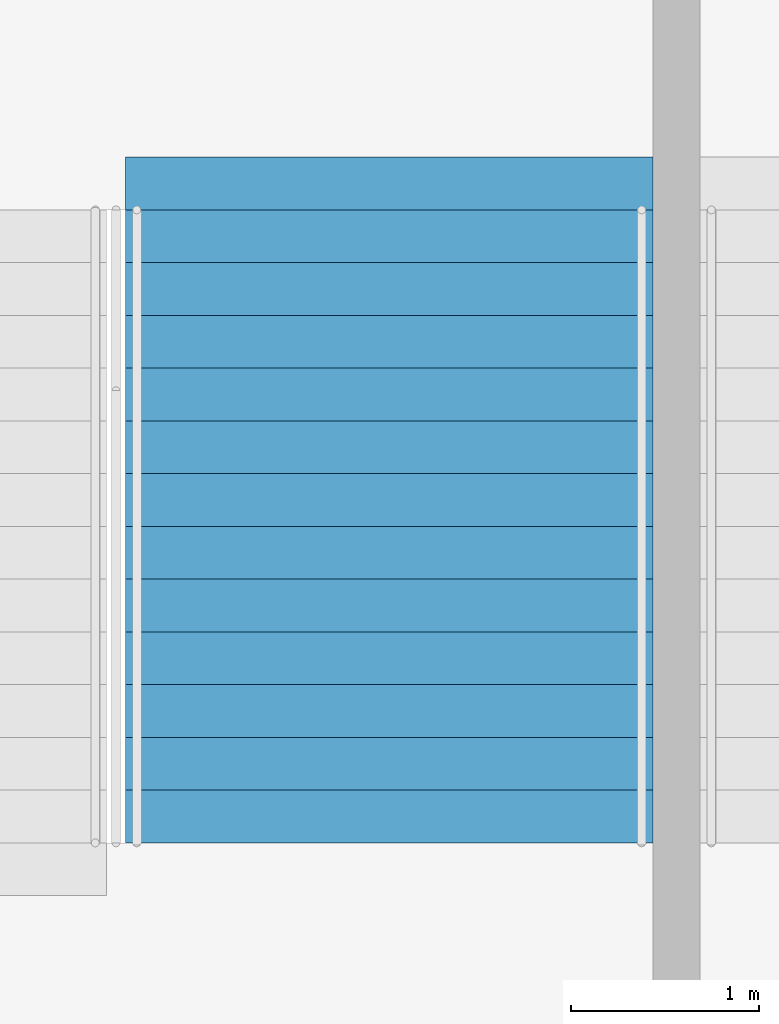
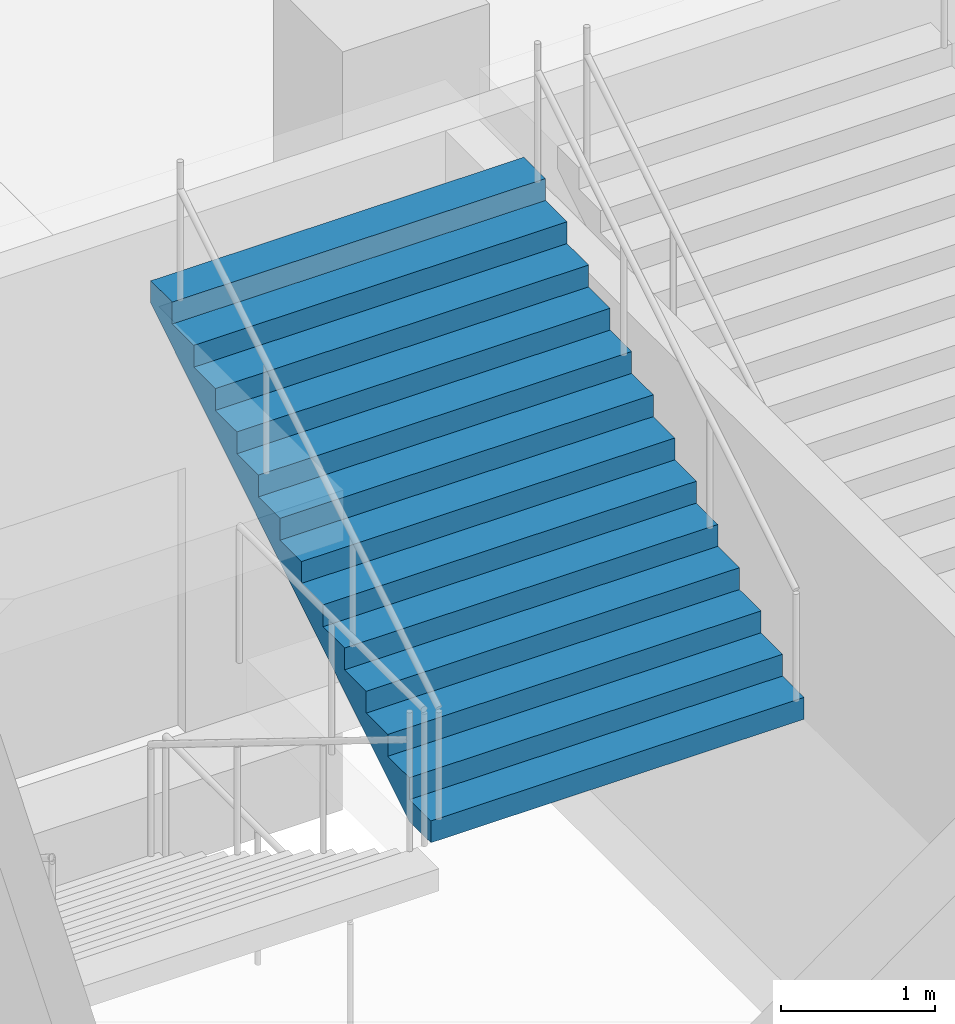
# One storey, part 152 of 249: 1 stair flight, 1 element without a shape of its own.
"""IFC4 building model written with IfcOpenShell, lengths in metres."""

from ifc_helpers import new_model, si_unit, direction, frame, origin, place, context, subcontext, project, spatial, faceted_brep, material, type_object, element, aggregate, save


model = new_model("IFC4")

# Units and contexts
model_context = context("Model", 3, precision=1e-05, world=origin(), true_north=direction((0.0, 1.0)))
body_context = subcontext(model_context, "Body", "Model", "MODEL_VIEW")
ifc_project = project(units=[si_unit("LENGTHUNIT", "METRE"), si_unit("AREAUNIT", "SQUARE_METRE"), si_unit("VOLUMEUNIT", "CUBIC_METRE"), si_unit("PLANEANGLEUNIT", "RADIAN"), si_unit("MASSUNIT", "GRAM", prefix="KILO")], contexts=[model_context])

# Site, building, storey
site_placement = place(None, origin())
site = spatial("IfcSite", under=ifc_project, at=site_placement, CompositionType="ELEMENT")
building_placement = place(site_placement, origin())
building = spatial("IfcBuilding", under=site, at=building_placement, Name="Ogive Plaza Stadium", CompositionType="ELEMENT")
storey_placement = place(building_placement, frame((0.0, 0.0, 13.5)))
storey = spatial("IfcBuildingStorey", under=building, at=storey_placement, Name="L03", CompositionType="ELEMENT", Elevation=13.5)

# Stair, stair flight
ifc_material_1 = material(Name="Concrete C40/50", Category="concrete")
stair_type = type_object("IfcStairType", Name="Exit stair", PredefinedType="STRAIGHT_RUN_STAIR", material=ifc_material_1)
stair_placement = place(storey_placement, origin())
stair = element("IfcStair", 1, at=stair_placement, inside=storey, type_object=stair_type, Name="Exit stair ST12A L03 to L04", PredefinedType="STRAIGHT_RUN_STAIR")
ifc_material_2 = material(Name="Concrete C40/50", Category="concrete")
stair_flight_type = type_object("IfcStairFlightType", Name="Exit stair flight", PredefinedType="STRAIGHT", material=ifc_material_2)
stair_flight_placement = place(storey_placement, frame((32.47509765625, -98.2099609375, 2.25), z_axis=(0.0, 0.0, 1.0), x_axis=(0.0, 1.0, 0.0)))
stair_flight = element("IfcStairFlight", 2, at=stair_flight_placement, type_object=stair_flight_type, Name="ST12A flight 2", NumberOfRisers=13, NumberOfTreads=12, PredefinedType="STRAIGHT", RiserHeight=0.173076923, TreadLength=0.28, context=body_context, shape_type="Brep", body=[
    faceted_brep([(0.28515625, -1.39990234375, 0.0), (3.639892578125, -1.39990234375, 2.07373046875), (3.639892578125, -1.39990234375, 2.25), (3.360107421875, -1.39990234375, 2.25), (3.360107421875, -1.39990234375, 2.076904296875), (3.080078125, -1.39990234375, 2.076904296875), (3.080078125, -1.39990234375, 1.90380859375), (2.800048828125, -1.39990234375, 1.90380859375), (2.800048828125, -1.39990234375, 1.730712890625), (2.52001953125, -1.39990234375, 1.730712890625), (2.52001953125, -1.39990234375, 1.5576171875), (2.239990234375, -1.39990234375, 1.5576171875), (2.239990234375, -1.39990234375, 1.384521484375), (1.9599609375, -1.39990234375, 1.384521484375), (1.9599609375, -1.39990234375, 1.21142578125), (1.679931640625, -1.39990234375, 1.21142578125), (1.679931640625, -1.39990234375, 1.03857421875), (1.39990234375, -1.39990234375, 1.03857421875), (1.39990234375, -1.39990234375, 0.865478515625), (1.1201171875, -1.39990234375, 0.865478515625), (1.1201171875, -1.39990234375, 0.6923828125), (0.840087890625, -1.39990234375, 0.6923828125), (0.840087890625, -1.39990234375, 0.519287109375), (0.56005859375, -1.39990234375, 0.519287109375), (0.56005859375, -1.39990234375, 0.34619140625), (0.280029296875, -1.39990234375, 0.34619140625), (0.280029296875, -1.39990234375, 0.173095703125), (0.0, -1.39990234375, 0.173095703125), (0.0, -1.39990234375, 0.0), (0.0, 1.39990234375, 0.0), (0.0, 1.39990234375, 0.173095703125), (0.280029296875, 1.39990234375, 0.173095703125), (0.280029296875, 1.39990234375, 0.34619140625), (0.56005859375, 1.39990234375, 0.34619140625), (0.56005859375, 1.39990234375, 0.519287109375), (0.840087890625, 1.39990234375, 0.519287109375), (0.840087890625, 1.39990234375, 0.6923828125), (1.1201171875, 1.39990234375, 0.6923828125), (1.1201171875, 1.39990234375, 0.865478515625), (1.39990234375, 1.39990234375, 0.865478515625), (1.39990234375, 1.39990234375, 1.03857421875), (1.679931640625, 1.39990234375, 1.03857421875), (1.679931640625, 1.39990234375, 1.21142578125), (1.9599609375, 1.39990234375, 1.21142578125), (1.9599609375, 1.39990234375, 1.384521484375), (2.239990234375, 1.39990234375, 1.384521484375), (2.239990234375, 1.39990234375, 1.5576171875), (2.52001953125, 1.39990234375, 1.5576171875), (2.52001953125, 1.39990234375, 1.730712890625), (2.800048828125, 1.39990234375, 1.730712890625), (2.800048828125, 1.39990234375, 1.90380859375), (3.080078125, 1.39990234375, 1.90380859375), (3.080078125, 1.39990234375, 2.076904296875), (3.360107421875, 1.39990234375, 2.076904296875), (3.360107421875, 1.39990234375, 2.25), (3.639892578125, 1.39990234375, 2.25), (3.639892578125, 1.39990234375, 2.07373046875), (0.28515625, 1.39990234375, 0.0), (0.28515625, -1.0888671875, 0.0), (3.639892578125, -1.0888671875, 2.07373046875), (0.28515625, -0.77783203125, 0.0), (3.639892578125, -0.77783203125, 2.07373046875), (0.28515625, -0.466796875, 0.0), (3.639892578125, -0.466796875, 2.07373046875), (0.28515625, -0.155517578125, 0.0), (3.639892578125, -0.155517578125, 2.07373046875), (0.28515625, 0.155517578125, 0.0), (3.639892578125, 0.155517578125, 2.07373046875), (0.28515625, 0.466796875, 0.0), (3.639892578125, 0.466796875, 2.07373046875), (0.28515625, 0.77783203125, 0.0), (3.639892578125, 0.77783203125, 2.07373046875), (0.28515625, 1.0888671875, 0.0), (3.639892578125, 1.0888671875, 2.07373046875), (3.639892578125, -1.0888671875, 2.25), (3.639892578125, -0.77783203125, 2.25), (3.639892578125, -0.466796875, 2.25), (3.639892578125, -0.155517578125, 2.25), (3.639892578125, 0.155517578125, 2.25), (3.639892578125, 0.466796875, 2.25), (3.639892578125, 0.77783203125, 2.25), (3.639892578125, 1.0888671875, 2.25), (3.360107421875, -1.0888671875, 2.25), (3.360107421875, -0.77783203125, 2.25), (3.360107421875, -0.466796875, 2.25), (3.360107421875, -0.155517578125, 2.25), (3.360107421875, 0.155517578125, 2.25), (3.360107421875, 0.466796875, 2.25), (3.360107421875, 0.77783203125, 2.25), (3.360107421875, 1.0888671875, 2.25), (3.360107421875, -1.0888671875, 2.076904296875), (3.360107421875, -0.77783203125, 2.076904296875), (3.360107421875, -0.466796875, 2.076904296875), (3.360107421875, -0.155517578125, 2.076904296875), (3.360107421875, 0.155517578125, 2.076904296875), (3.360107421875, 0.466796875, 2.076904296875), (3.360107421875, 0.77783203125, 2.076904296875), (3.360107421875, 1.0888671875, 2.076904296875), (3.080078125, -1.0888671875, 2.076904296875), (3.080078125, -0.77783203125, 2.076904296875), (3.080078125, -0.466796875, 2.076904296875), (3.080078125, -0.155517578125, 2.076904296875), (3.080078125, 0.155517578125, 2.076904296875), (3.080078125, 0.466796875, 2.076904296875), (3.080078125, 0.77783203125, 2.076904296875), (3.080078125, 1.0888671875, 2.076904296875), (3.080078125, -1.0888671875, 1.90380859375), (3.080078125, -0.77783203125, 1.90380859375), (3.080078125, -0.466796875, 1.90380859375), (3.080078125, -0.155517578125, 1.90380859375), (3.080078125, 0.155517578125, 1.90380859375), (3.080078125, 0.466796875, 1.90380859375), (3.080078125, 0.77783203125, 1.90380859375), (3.080078125, 1.0888671875, 1.90380859375), (2.800048828125, -1.0888671875, 1.90380859375), (2.800048828125, -0.77783203125, 1.90380859375), (2.800048828125, -0.466796875, 1.90380859375), (2.800048828125, -0.155517578125, 1.90380859375), (2.800048828125, 0.155517578125, 1.90380859375), (2.800048828125, 0.466796875, 1.90380859375), (2.800048828125, 0.77783203125, 1.90380859375), (2.800048828125, 1.0888671875, 1.90380859375), (2.800048828125, -1.0888671875, 1.730712890625), (2.800048828125, -0.77783203125, 1.730712890625), (2.800048828125, -0.466796875, 1.730712890625), (2.800048828125, -0.155517578125, 1.730712890625), (2.800048828125, 0.155517578125, 1.730712890625), (2.800048828125, 0.466796875, 1.730712890625), (2.800048828125, 0.77783203125, 1.730712890625), (2.800048828125, 1.0888671875, 1.730712890625), (2.52001953125, -1.0888671875, 1.730712890625), (2.52001953125, -0.77783203125, 1.730712890625), (2.52001953125, -0.466796875, 1.730712890625), (2.52001953125, -0.155517578125, 1.730712890625), (2.52001953125, 0.155517578125, 1.730712890625), (2.52001953125, 0.466796875, 1.730712890625), (2.52001953125, 0.77783203125, 1.730712890625), (2.52001953125, 1.0888671875, 1.730712890625), (2.52001953125, -1.0888671875, 1.5576171875), (2.52001953125, -0.77783203125, 1.5576171875), (2.52001953125, -0.466796875, 1.5576171875), (2.52001953125, -0.155517578125, 1.5576171875), (2.52001953125, 0.155517578125, 1.5576171875), (2.52001953125, 0.466796875, 1.5576171875), (2.52001953125, 0.77783203125, 1.5576171875), (2.52001953125, 1.0888671875, 1.5576171875), (2.239990234375, -1.0888671875, 1.5576171875), (2.239990234375, -0.77783203125, 1.5576171875), (2.239990234375, -0.466796875, 1.5576171875), (2.239990234375, -0.155517578125, 1.5576171875), (2.239990234375, 0.155517578125, 1.5576171875), (2.239990234375, 0.466796875, 1.5576171875), (2.239990234375, 0.77783203125, 1.5576171875), (2.239990234375, 1.0888671875, 1.5576171875), (2.239990234375, -1.0888671875, 1.384521484375), (2.239990234375, -0.77783203125, 1.384521484375), (2.239990234375, -0.466796875, 1.384521484375), (2.239990234375, -0.155517578125, 1.384521484375), (2.239990234375, 0.155517578125, 1.384521484375), (2.239990234375, 0.466796875, 1.384521484375), (2.239990234375, 0.77783203125, 1.384521484375), (2.239990234375, 1.0888671875, 1.384521484375), (1.9599609375, -1.0888671875, 1.384521484375), (1.9599609375, -0.77783203125, 1.384521484375), (1.9599609375, -0.466796875, 1.384521484375), (1.9599609375, -0.155517578125, 1.384521484375), (1.9599609375, 0.155517578125, 1.384521484375), (1.9599609375, 0.466796875, 1.384521484375), (1.9599609375, 0.77783203125, 1.384521484375), (1.9599609375, 1.0888671875, 1.384521484375), (1.9599609375, -1.0888671875, 1.21142578125), (1.9599609375, -0.77783203125, 1.21142578125), (1.9599609375, -0.466796875, 1.21142578125), (1.9599609375, -0.155517578125, 1.21142578125), (1.9599609375, 0.155517578125, 1.21142578125), (1.9599609375, 0.466796875, 1.21142578125), (1.9599609375, 0.77783203125, 1.21142578125), (1.9599609375, 1.0888671875, 1.21142578125), (1.679931640625, -1.0888671875, 1.21142578125), (1.679931640625, -0.77783203125, 1.21142578125), (1.679931640625, -0.466796875, 1.21142578125), (1.679931640625, -0.155517578125, 1.21142578125), (1.679931640625, 0.155517578125, 1.21142578125), (1.679931640625, 0.466796875, 1.21142578125), (1.679931640625, 0.77783203125, 1.21142578125), (1.679931640625, 1.0888671875, 1.21142578125), (1.679931640625, -1.0888671875, 1.03857421875), (1.679931640625, -0.77783203125, 1.03857421875), (1.679931640625, -0.466796875, 1.03857421875), (1.679931640625, -0.155517578125, 1.03857421875), (1.679931640625, 0.155517578125, 1.03857421875), (1.679931640625, 0.466796875, 1.03857421875), (1.679931640625, 0.77783203125, 1.03857421875), (1.679931640625, 1.0888671875, 1.03857421875), (1.39990234375, -1.0888671875, 1.03857421875), (1.39990234375, -0.77783203125, 1.03857421875), (1.39990234375, -0.466796875, 1.03857421875), (1.39990234375, -0.155517578125, 1.03857421875), (1.39990234375, 0.155517578125, 1.03857421875), (1.39990234375, 0.466796875, 1.03857421875), (1.39990234375, 0.77783203125, 1.03857421875), (1.39990234375, 1.0888671875, 1.03857421875), (1.39990234375, -1.0888671875, 0.865478515625), (1.39990234375, -0.77783203125, 0.865478515625), (1.39990234375, -0.466796875, 0.865478515625), (1.39990234375, -0.155517578125, 0.865478515625), (1.39990234375, 0.155517578125, 0.865478515625), (1.39990234375, 0.466796875, 0.865478515625), (1.39990234375, 0.77783203125, 0.865478515625), (1.39990234375, 1.0888671875, 0.865478515625), (1.1201171875, -1.0888671875, 0.865478515625), (1.1201171875, -0.77783203125, 0.865478515625), (1.1201171875, -0.466796875, 0.865478515625), (1.1201171875, -0.155517578125, 0.865478515625), (1.1201171875, 0.155517578125, 0.865478515625), (1.1201171875, 0.466796875, 0.865478515625), (1.1201171875, 0.77783203125, 0.865478515625), (1.1201171875, 1.0888671875, 0.865478515625), (1.1201171875, -1.0888671875, 0.6923828125), (1.1201171875, -0.77783203125, 0.6923828125), (1.1201171875, -0.466796875, 0.6923828125), (1.1201171875, -0.155517578125, 0.6923828125), (1.1201171875, 0.155517578125, 0.6923828125), (1.1201171875, 0.466796875, 0.6923828125), (1.1201171875, 0.77783203125, 0.6923828125), (1.1201171875, 1.0888671875, 0.6923828125), (0.840087890625, -1.0888671875, 0.6923828125), (0.840087890625, -0.77783203125, 0.6923828125), (0.840087890625, -0.466796875, 0.6923828125), (0.840087890625, -0.155517578125, 0.6923828125), (0.840087890625, 0.155517578125, 0.6923828125), (0.840087890625, 0.466796875, 0.6923828125), (0.840087890625, 0.77783203125, 0.6923828125), (0.840087890625, 1.0888671875, 0.6923828125), (0.840087890625, -1.0888671875, 0.519287109375), (0.840087890625, -0.77783203125, 0.519287109375), (0.840087890625, -0.466796875, 0.519287109375), (0.840087890625, -0.155517578125, 0.519287109375), (0.840087890625, 0.155517578125, 0.519287109375), (0.840087890625, 0.466796875, 0.519287109375), (0.840087890625, 0.77783203125, 0.519287109375), (0.840087890625, 1.0888671875, 0.519287109375), (0.56005859375, -1.0888671875, 0.519287109375), (0.56005859375, -0.77783203125, 0.519287109375), (0.56005859375, -0.466796875, 0.519287109375), (0.56005859375, -0.155517578125, 0.519287109375), (0.56005859375, 0.155517578125, 0.519287109375), (0.56005859375, 0.466796875, 0.519287109375), (0.56005859375, 0.77783203125, 0.519287109375), (0.56005859375, 1.0888671875, 0.519287109375), (0.56005859375, -1.0888671875, 0.34619140625), (0.56005859375, -0.77783203125, 0.34619140625), (0.56005859375, -0.466796875, 0.34619140625), (0.56005859375, -0.155517578125, 0.34619140625), (0.56005859375, 0.155517578125, 0.34619140625), (0.56005859375, 0.466796875, 0.34619140625), (0.56005859375, 0.77783203125, 0.34619140625), (0.56005859375, 1.0888671875, 0.34619140625), (0.280029296875, -1.0888671875, 0.34619140625), (0.280029296875, -0.77783203125, 0.34619140625), (0.280029296875, -0.466796875, 0.34619140625), (0.280029296875, -0.155517578125, 0.34619140625), (0.280029296875, 0.155517578125, 0.34619140625), (0.280029296875, 0.466796875, 0.34619140625), (0.280029296875, 0.77783203125, 0.34619140625), (0.280029296875, 1.0888671875, 0.34619140625), (0.280029296875, -1.0888671875, 0.173095703125), (0.280029296875, -0.77783203125, 0.173095703125), (0.280029296875, -0.466796875, 0.173095703125), (0.280029296875, -0.155517578125, 0.173095703125), (0.280029296875, 0.155517578125, 0.173095703125), (0.280029296875, 0.466796875, 0.173095703125), (0.280029296875, 0.77783203125, 0.173095703125), (0.280029296875, 1.0888671875, 0.173095703125), (0.0, -1.0888671875, 0.173095703125), (0.0, -0.77783203125, 0.173095703125), (0.0, -0.466796875, 0.173095703125), (0.0, -0.155517578125, 0.173095703125), (0.0, 0.155517578125, 0.173095703125), (0.0, 0.466796875, 0.173095703125), (0.0, 0.77783203125, 0.173095703125), (0.0, 1.0888671875, 0.173095703125), (0.0, -1.0888671875, 0.0), (0.0, -0.77783203125, 0.0), (0.0, -0.466796875, 0.0), (0.0, -0.155517578125, 0.0), (0.0, 0.155517578125, 0.0), (0.0, 0.466796875, 0.0), (0.0, 0.77783203125, 0.0), (0.0, 1.0888671875, 0.0)], [[[0, 1, 2, 3, 4, 5, 6, 7, 8, 9, 10, 11, 12, 13, 14, 15, 16, 17, 18, 19, 20, 21, 22, 23, 24, 25, 26, 27, 28]], [[29, 30, 31, 32, 33, 34, 35, 36, 37, 38, 39, 40, 41, 42, 43, 44, 45, 46, 47, 48, 49, 50, 51, 52, 53, 54, 55, 56, 57]], [[0, 58, 59, 1]], [[58, 60, 61, 59]], [[60, 62, 63, 61]], [[62, 64, 65, 63]], [[64, 66, 67, 65]], [[66, 68, 69, 67]], [[68, 70, 71, 69]], [[70, 72, 73, 71]], [[72, 57, 56, 73]], [[1, 59, 74, 2]], [[59, 61, 75, 74]], [[61, 63, 76, 75]], [[63, 65, 77, 76]], [[65, 67, 78, 77]], [[67, 69, 79, 78]], [[69, 71, 80, 79]], [[71, 73, 81, 80]], [[73, 56, 55, 81]], [[2, 74, 82, 3]], [[74, 75, 83, 82]], [[75, 76, 84, 83]], [[76, 77, 85, 84]], [[77, 78, 86, 85]], [[78, 79, 87, 86]], [[79, 80, 88, 87]], [[80, 81, 89, 88]], [[81, 55, 54, 89]], [[3, 82, 90, 4]], [[82, 83, 91, 90]], [[83, 84, 92, 91]], [[84, 85, 93, 92]], [[85, 86, 94, 93]], [[86, 87, 95, 94]], [[87, 88, 96, 95]], [[88, 89, 97, 96]], [[89, 54, 53, 97]], [[4, 90, 98, 5]], [[90, 91, 99, 98]], [[91, 92, 100, 99]], [[92, 93, 101, 100]], [[93, 94, 102, 101]], [[94, 95, 103, 102]], [[95, 96, 104, 103]], [[96, 97, 105, 104]], [[97, 53, 52, 105]], [[5, 98, 106, 6]], [[98, 99, 107, 106]], [[99, 100, 108, 107]], [[100, 101, 109, 108]], [[101, 102, 110, 109]], [[102, 103, 111, 110]], [[103, 104, 112, 111]], [[104, 105, 113, 112]], [[105, 52, 51, 113]], [[6, 106, 114, 7]], [[106, 107, 115, 114]], [[107, 108, 116, 115]], [[108, 109, 117, 116]], [[109, 110, 118, 117]], [[110, 111, 119, 118]], [[111, 112, 120, 119]], [[112, 113, 121, 120]], [[113, 51, 50, 121]], [[7, 114, 122, 8]], [[114, 115, 123, 122]], [[115, 116, 124, 123]], [[116, 117, 125, 124]], [[117, 118, 126, 125]], [[118, 119, 127, 126]], [[119, 120, 128, 127]], [[120, 121, 129, 128]], [[121, 50, 49, 129]], [[8, 122, 130, 9]], [[122, 123, 131, 130]], [[123, 124, 132, 131]], [[124, 125, 133, 132]], [[125, 126, 134, 133]], [[126, 127, 135, 134]], [[127, 128, 136, 135]], [[128, 129, 137, 136]], [[129, 49, 48, 137]], [[9, 130, 138, 10]], [[130, 131, 139, 138]], [[131, 132, 140, 139]], [[132, 133, 141, 140]], [[133, 134, 142, 141]], [[134, 135, 143, 142]], [[135, 136, 144, 143]], [[136, 137, 145, 144]], [[137, 48, 47, 145]], [[10, 138, 146, 11]], [[138, 139, 147, 146]], [[139, 140, 148, 147]], [[140, 141, 149, 148]], [[141, 142, 150, 149]], [[142, 143, 151, 150]], [[143, 144, 152, 151]], [[144, 145, 153, 152]], [[145, 47, 46, 153]], [[11, 146, 154, 12]], [[146, 147, 155, 154]], [[147, 148, 156, 155]], [[148, 149, 157, 156]], [[149, 150, 158, 157]], [[150, 151, 159, 158]], [[151, 152, 160, 159]], [[152, 153, 161, 160]], [[153, 46, 45, 161]], [[12, 154, 162, 13]], [[154, 155, 163, 162]], [[155, 156, 164, 163]], [[156, 157, 165, 164]], [[157, 158, 166, 165]], [[158, 159, 167, 166]], [[159, 160, 168, 167]], [[160, 161, 169, 168]], [[161, 45, 44, 169]], [[13, 162, 170, 14]], [[162, 163, 171, 170]], [[163, 164, 172, 171]], [[164, 165, 173, 172]], [[165, 166, 174, 173]], [[166, 167, 175, 174]], [[167, 168, 176, 175]], [[168, 169, 177, 176]], [[169, 44, 43, 177]], [[14, 170, 178, 15]], [[170, 171, 179, 178]], [[171, 172, 180, 179]], [[172, 173, 181, 180]], [[173, 174, 182, 181]], [[174, 175, 183, 182]], [[175, 176, 184, 183]], [[176, 177, 185, 184]], [[177, 43, 42, 185]], [[15, 178, 186, 16]], [[178, 179, 187, 186]], [[179, 180, 188, 187]], [[180, 181, 189, 188]], [[181, 182, 190, 189]], [[182, 183, 191, 190]], [[183, 184, 192, 191]], [[184, 185, 193, 192]], [[185, 42, 41, 193]], [[16, 186, 194, 17]], [[186, 187, 195, 194]], [[187, 188, 196, 195]], [[188, 189, 197, 196]], [[189, 190, 198, 197]], [[190, 191, 199, 198]], [[191, 192, 200, 199]], [[192, 193, 201, 200]], [[193, 41, 40, 201]], [[17, 194, 202, 18]], [[194, 195, 203, 202]], [[195, 196, 204, 203]], [[196, 197, 205, 204]], [[197, 198, 206, 205]], [[198, 199, 207, 206]], [[199, 200, 208, 207]], [[200, 201, 209, 208]], [[201, 40, 39, 209]], [[18, 202, 210, 19]], [[202, 203, 211, 210]], [[203, 204, 212, 211]], [[204, 205, 213, 212]], [[205, 206, 214, 213]], [[206, 207, 215, 214]], [[207, 208, 216, 215]], [[208, 209, 217, 216]], [[209, 39, 38, 217]], [[19, 210, 218, 20]], [[210, 211, 219, 218]], [[211, 212, 220, 219]], [[212, 213, 221, 220]], [[213, 214, 222, 221]], [[214, 215, 223, 222]], [[215, 216, 224, 223]], [[216, 217, 225, 224]], [[217, 38, 37, 225]], [[20, 218, 226, 21]], [[218, 219, 227, 226]], [[219, 220, 228, 227]], [[220, 221, 229, 228]], [[221, 222, 230, 229]], [[222, 223, 231, 230]], [[223, 224, 232, 231]], [[224, 225, 233, 232]], [[225, 37, 36, 233]], [[21, 226, 234, 22]], [[226, 227, 235, 234]], [[227, 228, 236, 235]], [[228, 229, 237, 236]], [[229, 230, 238, 237]], [[230, 231, 239, 238]], [[231, 232, 240, 239]], [[232, 233, 241, 240]], [[233, 36, 35, 241]], [[22, 234, 242, 23]], [[234, 235, 243, 242]], [[235, 236, 244, 243]], [[236, 237, 245, 244]], [[237, 238, 246, 245]], [[238, 239, 247, 246]], [[239, 240, 248, 247]], [[240, 241, 249, 248]], [[241, 35, 34, 249]], [[23, 242, 250, 24]], [[242, 243, 251, 250]], [[243, 244, 252, 251]], [[244, 245, 253, 252]], [[245, 246, 254, 253]], [[246, 247, 255, 254]], [[247, 248, 256, 255]], [[248, 249, 257, 256]], [[249, 34, 33, 257]], [[24, 250, 258, 25]], [[250, 251, 259, 258]], [[251, 252, 260, 259]], [[252, 253, 261, 260]], [[253, 254, 262, 261]], [[254, 255, 263, 262]], [[255, 256, 264, 263]], [[256, 257, 265, 264]], [[257, 33, 32, 265]], [[25, 258, 266, 26]], [[258, 259, 267, 266]], [[259, 260, 268, 267]], [[260, 261, 269, 268]], [[261, 262, 270, 269]], [[262, 263, 271, 270]], [[263, 264, 272, 271]], [[264, 265, 273, 272]], [[265, 32, 31, 273]], [[26, 266, 274, 27]], [[266, 267, 275, 274]], [[267, 268, 276, 275]], [[268, 269, 277, 276]], [[269, 270, 278, 277]], [[270, 271, 279, 278]], [[271, 272, 280, 279]], [[272, 273, 281, 280]], [[273, 31, 30, 281]], [[27, 274, 282, 28]], [[274, 275, 283, 282]], [[275, 276, 284, 283]], [[276, 277, 285, 284]], [[277, 278, 286, 285]], [[278, 279, 287, 286]], [[279, 280, 288, 287]], [[280, 281, 289, 288]], [[281, 30, 29, 289]], [[28, 282, 58, 0]], [[282, 283, 60, 58]], [[283, 284, 62, 60]], [[284, 285, 64, 62]], [[285, 286, 66, 64]], [[286, 287, 68, 66]], [[287, 288, 70, 68]], [[288, 289, 72, 70]], [[289, 29, 57, 72]]]),
])
aggregate(stair, [stair_flight])

save(model, "model.ifc")
